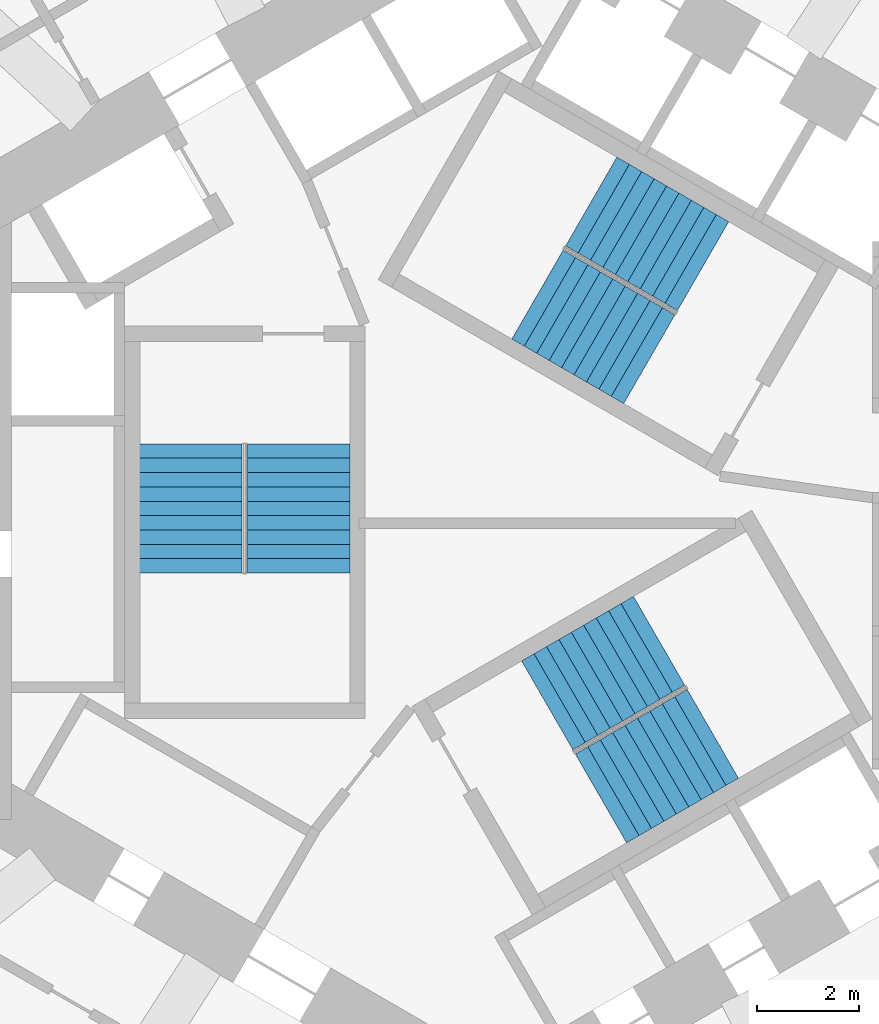
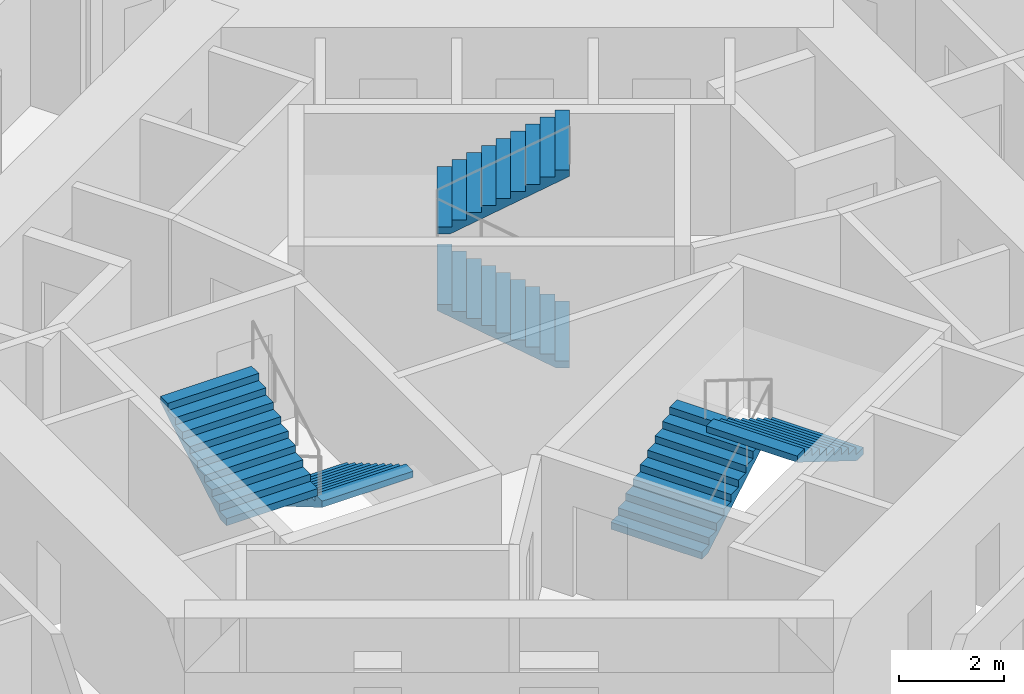
# One storey, part 9 of 11: 6 stair flights, 3 elements without a shape of their own.
"""IFC4 building model written with IfcOpenShell, lengths in metres."""

from ifc_helpers import new_model, si_unit, direction, frame, origin, place, context, subcontext, project, spatial, triangles, source, transform, mapped, material, type_object, element, aggregate, save


model = new_model("IFC4")

# Units and contexts
model_context = context("Model", 3, precision=1e-05, world=origin(), true_north=direction((0.0, 1.0)))
body_context = subcontext(model_context, "Body", "Model", "MODEL_VIEW")
ifc_project = project(units=[si_unit("LENGTHUNIT", "METRE"), si_unit("AREAUNIT", "SQUARE_METRE"), si_unit("VOLUMEUNIT", "CUBIC_METRE"), si_unit("PLANEANGLEUNIT", "RADIAN"), si_unit("MASSUNIT", "GRAM", prefix="KILO")], contexts=[model_context])

# Site, building, storey
site_placement = place(None, origin())
site = spatial("IfcSite", under=ifc_project, at=site_placement, CompositionType="ELEMENT")
building_placement = place(site_placement, origin())
building = spatial("IfcBuilding", under=site, at=building_placement, Name="Vanh Sen Convention Tower", CompositionType="ELEMENT")
storey_placement = place(building_placement, frame((0.0, 0.0, 96.800048828125)))
storey = spatial("IfcBuildingStorey", under=building, at=storey_placement, Name="L22", CompositionType="ELEMENT", Elevation=96.800048828125)

# Stair, stair flights
ifc_material_1 = material(Name="Concrete C50/60", Category="concrete")
stair_type_1 = type_object("IfcStairType", Name="Exit stair ST1 20 risers at 165.0", PredefinedType="HALF_TURN_STAIR", material=ifc_material_1)
stair_1_placement = place(storey_placement, origin())
stair_1 = element("IfcStair", 1, at=stair_1_placement, inside=storey, type_object=stair_type_1, Name="Exit stair ST1 L22", PredefinedType="HALF_TURN_STAIR")
ifc_material_2 = material(Name="Concrete C40/50", Category="concrete")
stair_flight_type = type_object("IfcStairFlightType", Name="Stair flight 2000", PredefinedType="STRAIGHT", material=ifc_material_2)
shared_shape = source(origin(), body_context, "Body", "Tessellation", [
    triangles([(0.24609375, 1.0, 0.0), (0.0, 1.0, 0.0), (0.0, 1.0, 0.1650390625), (0.280029296875, 1.0, 0.1650390625), (0.280029296875, 1.0, 0.330078125), (0.56005859375, 1.0, 0.330078125), (0.56005859375, 1.0, 0.4951171875), (0.840087890625, 1.0, 0.4951171875), (0.840087890625, 1.0, 0.659912109375), (1.1201171875, 1.0, 0.659912109375), (1.1201171875, 1.0, 0.824951171875), (1.39990234375, 1.0, 0.824951171875), (1.39990234375, 1.0, 0.989990234375), (1.679931640625, 1.0, 0.989990234375), (1.679931640625, 1.0, 1.155029296875), (1.9599609375, 1.0, 1.155029296875), (1.9599609375, 1.0, 1.320068359375), (2.239990234375, 1.0, 1.320068359375), (2.239990234375, 1.0, 1.485107421875), (2.52001953125, 1.0, 1.485107421875), (2.52001953125, 1.0, 1.33984375), (0.24609375, -1.0, 0.0), (0.0, -1.0, 0.0), (0.0, -1.0, 0.1650390625), (0.280029296875, -1.0, 0.1650390625), (0.280029296875, -1.0, 0.330078125), (0.56005859375, -1.0, 0.330078125), (0.56005859375, -1.0, 0.4951171875), (0.840087890625, -1.0, 0.4951171875), (0.840087890625, -1.0, 0.659912109375), (1.1201171875, -1.0, 0.659912109375), (1.1201171875, -1.0, 0.824951171875), (1.39990234375, -1.0, 0.824951171875), (1.39990234375, -1.0, 0.989990234375), (1.679931640625, -1.0, 0.989990234375), (1.679931640625, -1.0, 1.155029296875), (1.9599609375, -1.0, 1.155029296875), (1.9599609375, -1.0, 1.320068359375), (2.239990234375, -1.0, 1.320068359375), (2.239990234375, -1.0, 1.485107421875), (2.52001953125, -1.0, 1.485107421875), (2.52001953125, -1.0, 1.33984375), (0.0, 0.0400390625, 0.0), (0.0, 0.0390625, 0.0), (0.0, 0.0380859375, 0.0), (0.0, 0.037109375, 0.0), (0.0, 0.035888671875, 0.0), (0.0, 0.034912109375, 0.0), (0.0, 0.033935546875, 0.0), (0.0, 0.032958984375, 0.0), (0.0, 0.031982421875, 0.0), (0.0, 0.031005859375, 0.0), (0.0, 0.030029296875, 0.0), (0.0, 0.029052734375, 0.0), (0.0, 0.028076171875, 0.0), (0.0, 0.027099609375, 0.0), (0.0, 0.02587890625, 0.0), (0.0, 0.02490234375, 0.0), (0.0, 0.02392578125, 0.0), (0.0, 0.02294921875, 0.0), (0.0, 0.02197265625, 0.0), (0.0, 0.02099609375, 0.0), (0.0, 0.02001953125, 0.0), (0.0, 0.01904296875, 0.0), (0.0, 0.01806640625, 0.0), (0.0, 0.01708984375, 0.0), (0.0, 0.01611328125, 0.0), (0.0, 0.014892578125, 0.0), (0.0, 0.013916015625, 0.0), (0.0, 0.012939453125, 0.0), (0.0, 0.011962890625, 0.0), (0.0, 0.010986328125, 0.0), (0.0, 0.010009765625, 0.0), (0.0, 0.009033203125, 0.0), (0.0, 0.008056640625, 0.0), (0.0, 0.007080078125, 0.0), (0.0, 0.006103515625, 0.0), (0.0, 0.0048828125, 0.0), (0.0, 0.00390625, 0.0), (0.0, 0.0029296875, 0.0), (0.0, 0.001953125, 0.0), (0.0, 0.0009765625, 0.0), (0.0, 0.0, 0.0), (0.0, -0.0009765625, 0.0), (0.0, -0.001953125, 0.0), (0.0, -0.0029296875, 0.0), (0.0, -0.00390625, 0.0), (0.0, -0.0048828125, 0.0), (0.0, -0.006103515625, 0.0), (0.0, -0.007080078125, 0.0), (0.0, -0.008056640625, 0.0), (0.0, -0.009033203125, 0.0), (0.0, -0.010009765625, 0.0), (0.0, -0.010986328125, 0.0), (0.0, -0.011962890625, 0.0), (0.0, -0.012939453125, 0.0), (0.0, -0.013916015625, 0.0), (0.0, -0.014892578125, 0.0), (0.0, -0.01611328125, 0.0), (0.0, -0.01708984375, 0.0), (0.0, -0.01806640625, 0.0), (0.0, -0.01904296875, 0.0), (0.0, -0.02001953125, 0.0), (0.0, -0.02099609375, 0.0), (0.0, -0.02197265625, 0.0), (0.0, -0.02294921875, 0.0), (0.0, -0.02392578125, 0.0), (0.0, -0.02490234375, 0.0), (0.0, -0.02587890625, 0.0), (0.0, -0.027099609375, 0.0), (0.0, -0.028076171875, 0.0), (0.0, -0.029052734375, 0.0), (0.0, -0.030029296875, 0.0), (0.0, -0.031005859375, 0.0), (0.0, -0.031982421875, 0.0), (0.0, -0.032958984375, 0.0), (0.0, -0.033935546875, 0.0), (0.0, -0.034912109375, 0.0), (0.0, -0.035888671875, 0.0), (0.0, -0.037109375, 0.0), (0.0, -0.0380859375, 0.0), (0.0, -0.0390625, 0.0), (0.0, -0.0400390625, 0.0), (0.0, 0.0400390625, 0.1650390625), (0.0, 0.0390625, 0.1650390625), (0.0, 0.0380859375, 0.1650390625), (0.0, 0.037109375, 0.1650390625), (0.0, 0.035888671875, 0.1650390625), (0.0, 0.034912109375, 0.1650390625), (0.0, 0.033935546875, 0.1650390625), (0.0, 0.032958984375, 0.1650390625), (0.0, 0.031982421875, 0.1650390625), (0.0, 0.031005859375, 0.1650390625), (0.0, 0.030029296875, 0.1650390625), (0.0, 0.029052734375, 0.1650390625), (0.0, 0.028076171875, 0.1650390625), (0.0, 0.027099609375, 0.1650390625), (0.0, 0.02587890625, 0.1650390625), (0.0, 0.02490234375, 0.1650390625), (0.0, 0.02392578125, 0.1650390625), (0.0, 0.02294921875, 0.1650390625), (0.0, 0.02197265625, 0.1650390625), (0.0, 0.02099609375, 0.1650390625), (0.0, 0.02001953125, 0.1650390625), (0.0, 0.01904296875, 0.1650390625), (0.0, 0.01806640625, 0.1650390625), (0.0, 0.01708984375, 0.1650390625), (0.0, 0.01611328125, 0.1650390625), (0.0, 0.014892578125, 0.1650390625), (0.0, 0.013916015625, 0.1650390625), (0.0, 0.012939453125, 0.1650390625), (0.0, 0.011962890625, 0.1650390625), (0.0, 0.010986328125, 0.1650390625), (0.0, 0.010009765625, 0.1650390625), (0.0, 0.009033203125, 0.1650390625), (0.0, 0.008056640625, 0.1650390625), (0.0, 0.007080078125, 0.1650390625), (0.0, 0.006103515625, 0.1650390625), (0.0, 0.0048828125, 0.1650390625), (0.0, 0.00390625, 0.1650390625), (0.0, 0.0029296875, 0.1650390625), (0.0, 0.001953125, 0.1650390625), (0.0, 0.0009765625, 0.1650390625), (0.0, 0.0, 0.1650390625), (0.0, -0.0009765625, 0.1650390625), (0.0, -0.001953125, 0.1650390625), (0.0, -0.0029296875, 0.1650390625), (0.0, -0.00390625, 0.1650390625), (0.0, -0.0048828125, 0.1650390625), (0.0, -0.006103515625, 0.1650390625), (0.0, -0.007080078125, 0.1650390625), (0.0, -0.008056640625, 0.1650390625), (0.0, -0.009033203125, 0.1650390625), (0.0, -0.010009765625, 0.1650390625), (0.0, -0.010986328125, 0.1650390625), (0.0, -0.011962890625, 0.1650390625), (0.0, -0.012939453125, 0.1650390625), (0.0, -0.013916015625, 0.1650390625), (0.0, -0.014892578125, 0.1650390625), (0.0, -0.01611328125, 0.1650390625), (0.0, -0.01708984375, 0.1650390625), (0.0, -0.01806640625, 0.1650390625), (0.0, -0.01904296875, 0.1650390625), (0.0, -0.02001953125, 0.1650390625), (0.0, -0.02099609375, 0.1650390625), (0.0, -0.02197265625, 0.1650390625), (0.0, -0.02294921875, 0.1650390625), (0.0, -0.02392578125, 0.1650390625), (0.0, -0.02490234375, 0.1650390625), (0.0, -0.02587890625, 0.1650390625), (0.0, -0.027099609375, 0.1650390625), (0.0, -0.028076171875, 0.1650390625), (0.0, -0.029052734375, 0.1650390625), (0.0, -0.030029296875, 0.1650390625), (0.0, -0.031005859375, 0.1650390625), (0.0, -0.031982421875, 0.1650390625), (0.0, -0.032958984375, 0.1650390625), (0.0, -0.033935546875, 0.1650390625), (0.0, -0.034912109375, 0.1650390625), (0.0, -0.035888671875, 0.1650390625), (0.0, -0.037109375, 0.1650390625), (0.0, -0.0380859375, 0.1650390625), (0.0, -0.0390625, 0.1650390625), (0.0, -0.0400390625, 0.1650390625), (0.280029296875, 0.0, 0.1650390625), (0.280029296875, 0.0, 0.330078125), (0.56005859375, 0.0, 0.330078125), (0.56005859375, 0.0, 0.4951171875), (0.840087890625, 0.0, 0.4951171875), (0.840087890625, 0.0, 0.659912109375), (1.1201171875, 0.0, 0.659912109375), (1.1201171875, 0.0, 0.824951171875), (1.39990234375, 0.0, 0.824951171875), (1.39990234375, 0.0, 0.989990234375), (1.679931640625, 0.0, 0.989990234375), (1.679931640625, 0.0, 1.155029296875), (1.9599609375, 0.0, 1.155029296875), (1.9599609375, 0.0, 1.320068359375), (2.239990234375, 0.0, 1.320068359375), (2.239990234375, 0.0, 1.485107421875), (2.52001953125, 0.0400390625, 1.485107421875), (2.52001953125, 0.0390625, 1.485107421875), (2.52001953125, 0.0380859375, 1.485107421875), (2.52001953125, 0.037109375, 1.485107421875), (2.52001953125, 0.035888671875, 1.485107421875), (2.52001953125, 0.034912109375, 1.485107421875), (2.52001953125, 0.033935546875, 1.485107421875), (2.52001953125, 0.032958984375, 1.485107421875), (2.52001953125, 0.031982421875, 1.485107421875), (2.52001953125, 0.031005859375, 1.485107421875), (2.52001953125, 0.030029296875, 1.485107421875), (2.52001953125, 0.029052734375, 1.485107421875), (2.52001953125, 0.028076171875, 1.485107421875), (2.52001953125, 0.027099609375, 1.485107421875), (2.52001953125, 0.02587890625, 1.485107421875), (2.52001953125, 0.02490234375, 1.485107421875), (2.52001953125, 0.02392578125, 1.485107421875), (2.52001953125, 0.02294921875, 1.485107421875), (2.52001953125, 0.02197265625, 1.485107421875), (2.52001953125, 0.02099609375, 1.485107421875), (2.52001953125, 0.02001953125, 1.485107421875), (2.52001953125, 0.01904296875, 1.485107421875), (2.52001953125, 0.01806640625, 1.485107421875), (2.52001953125, 0.01708984375, 1.485107421875), (2.52001953125, 0.01611328125, 1.485107421875), (2.52001953125, 0.014892578125, 1.485107421875), (2.52001953125, 0.013916015625, 1.485107421875), (2.52001953125, 0.012939453125, 1.485107421875), (2.52001953125, 0.011962890625, 1.485107421875), (2.52001953125, 0.010986328125, 1.485107421875), (2.52001953125, 0.010009765625, 1.485107421875), (2.52001953125, 0.009033203125, 1.485107421875), (2.52001953125, 0.008056640625, 1.485107421875), (2.52001953125, 0.007080078125, 1.485107421875), (2.52001953125, 0.006103515625, 1.485107421875), (2.52001953125, 0.0048828125, 1.485107421875), (2.52001953125, 0.00390625, 1.485107421875), (2.52001953125, 0.0029296875, 1.485107421875), (2.52001953125, 0.001953125, 1.485107421875), (2.52001953125, 0.0009765625, 1.485107421875), (2.52001953125, 0.0, 1.485107421875), (2.52001953125, -0.0009765625, 1.485107421875), (2.52001953125, -0.001953125, 1.485107421875), (2.52001953125, -0.0029296875, 1.485107421875), (2.52001953125, -0.00390625, 1.485107421875), (2.52001953125, -0.0048828125, 1.485107421875), (2.52001953125, -0.006103515625, 1.485107421875), (2.52001953125, -0.007080078125, 1.485107421875), (2.52001953125, -0.008056640625, 1.485107421875), (2.52001953125, -0.009033203125, 1.485107421875), (2.52001953125, -0.010009765625, 1.485107421875), (2.52001953125, -0.010986328125, 1.485107421875), (2.52001953125, -0.011962890625, 1.485107421875), (2.52001953125, -0.012939453125, 1.485107421875), (2.52001953125, -0.013916015625, 1.485107421875), (2.52001953125, -0.014892578125, 1.485107421875), (2.52001953125, -0.01611328125, 1.485107421875), (2.52001953125, -0.01708984375, 1.485107421875), (2.52001953125, -0.01806640625, 1.485107421875), (2.52001953125, -0.01904296875, 1.485107421875), (2.52001953125, -0.02001953125, 1.485107421875), (2.52001953125, -0.02099609375, 1.485107421875), (2.52001953125, -0.02197265625, 1.485107421875), (2.52001953125, -0.02294921875, 1.485107421875), (2.52001953125, -0.02392578125, 1.485107421875), (2.52001953125, -0.02490234375, 1.485107421875), (2.52001953125, -0.02587890625, 1.485107421875), (2.52001953125, -0.027099609375, 1.485107421875), (2.52001953125, -0.028076171875, 1.485107421875), (2.52001953125, -0.029052734375, 1.485107421875), (2.52001953125, -0.030029296875, 1.485107421875), (2.52001953125, -0.031005859375, 1.485107421875), (2.52001953125, -0.031982421875, 1.485107421875), (2.52001953125, -0.032958984375, 1.485107421875), (2.52001953125, -0.033935546875, 1.485107421875), (2.52001953125, -0.034912109375, 1.485107421875), (2.52001953125, -0.035888671875, 1.485107421875), (2.52001953125, -0.037109375, 1.485107421875), (2.52001953125, -0.0380859375, 1.485107421875), (2.52001953125, -0.0390625, 1.485107421875), (2.52001953125, -0.0400390625, 1.485107421875), (2.52001953125, 0.0400390625, 1.33984375), (2.52001953125, 0.0390625, 1.33984375), (2.52001953125, 0.0380859375, 1.33984375), (2.52001953125, 0.037109375, 1.33984375), (2.52001953125, 0.035888671875, 1.33984375), (2.52001953125, 0.034912109375, 1.33984375), (2.52001953125, 0.033935546875, 1.33984375), (2.52001953125, 0.032958984375, 1.33984375), (2.52001953125, 0.031982421875, 1.33984375), (2.52001953125, 0.031005859375, 1.33984375), (2.52001953125, 0.030029296875, 1.33984375), (2.52001953125, 0.029052734375, 1.33984375), (2.52001953125, 0.028076171875, 1.33984375), (2.52001953125, 0.027099609375, 1.33984375), (2.52001953125, 0.02587890625, 1.33984375), (2.52001953125, 0.02490234375, 1.33984375), (2.52001953125, 0.02392578125, 1.33984375), (2.52001953125, 0.02294921875, 1.33984375), (2.52001953125, 0.02197265625, 1.33984375), (2.52001953125, 0.02099609375, 1.33984375), (2.52001953125, 0.02001953125, 1.33984375), (2.52001953125, 0.01904296875, 1.33984375), (2.52001953125, 0.01806640625, 1.33984375), (2.52001953125, 0.01708984375, 1.33984375), (2.52001953125, 0.01611328125, 1.33984375), (2.52001953125, 0.014892578125, 1.33984375), (2.52001953125, 0.013916015625, 1.33984375), (2.52001953125, 0.012939453125, 1.33984375), (2.52001953125, 0.011962890625, 1.33984375), (2.52001953125, 0.010986328125, 1.33984375), (2.52001953125, 0.010009765625, 1.33984375), (2.52001953125, 0.009033203125, 1.33984375), (2.52001953125, 0.008056640625, 1.33984375), (2.52001953125, 0.007080078125, 1.33984375), (2.52001953125, 0.006103515625, 1.33984375), (2.52001953125, 0.0048828125, 1.33984375), (2.52001953125, 0.00390625, 1.33984375), (2.52001953125, 0.0029296875, 1.33984375), (2.52001953125, 0.001953125, 1.33984375), (2.52001953125, 0.0009765625, 1.33984375), (2.52001953125, 0.0, 1.33984375), (2.52001953125, -0.0009765625, 1.33984375), (2.52001953125, -0.001953125, 1.33984375), (2.52001953125, -0.0029296875, 1.33984375), (2.52001953125, -0.00390625, 1.33984375), (2.52001953125, -0.0048828125, 1.33984375), (2.52001953125, -0.006103515625, 1.33984375), (2.52001953125, -0.007080078125, 1.33984375), (2.52001953125, -0.008056640625, 1.33984375), (2.52001953125, -0.009033203125, 1.33984375), (2.52001953125, -0.010009765625, 1.33984375), (2.52001953125, -0.010986328125, 1.33984375), (2.52001953125, -0.011962890625, 1.33984375), (2.52001953125, -0.012939453125, 1.33984375), (2.52001953125, -0.013916015625, 1.33984375), (2.52001953125, -0.014892578125, 1.33984375), (2.52001953125, -0.01611328125, 1.33984375), (2.52001953125, -0.01708984375, 1.33984375), (2.52001953125, -0.01806640625, 1.33984375), (2.52001953125, -0.01904296875, 1.33984375), (2.52001953125, -0.02001953125, 1.33984375), (2.52001953125, -0.02099609375, 1.33984375), (2.52001953125, -0.02197265625, 1.33984375), (2.52001953125, -0.02294921875, 1.33984375), (2.52001953125, -0.02392578125, 1.33984375), (2.52001953125, -0.02490234375, 1.33984375), (2.52001953125, -0.02587890625, 1.33984375), (2.52001953125, -0.027099609375, 1.33984375), (2.52001953125, -0.028076171875, 1.33984375), (2.52001953125, -0.029052734375, 1.33984375), (2.52001953125, -0.030029296875, 1.33984375), (2.52001953125, -0.031005859375, 1.33984375), (2.52001953125, -0.031982421875, 1.33984375), (2.52001953125, -0.032958984375, 1.33984375), (2.52001953125, -0.033935546875, 1.33984375), (2.52001953125, -0.034912109375, 1.33984375), (2.52001953125, -0.035888671875, 1.33984375), (2.52001953125, -0.037109375, 1.33984375), (2.52001953125, -0.0380859375, 1.33984375), (2.52001953125, -0.0390625, 1.33984375), (2.52001953125, -0.0400390625, 1.33984375), (0.24609375, 0.0, 0.0)], [[1, 2, 3], [1, 3, 4], [4, 5, 6], [1, 4, 6], [6, 7, 8], [1, 6, 8], [8, 9, 10], [1, 8, 10], [10, 11, 12], [1, 10, 12], [12, 13, 14], [1, 12, 14], [14, 15, 16], [1, 14, 16], [16, 17, 18], [1, 16, 18], [18, 19, 20], [1, 18, 20], [20, 21, 1], [22, 24, 23], [22, 25, 24], [25, 27, 26], [22, 27, 25], [27, 29, 28], [22, 29, 27], [29, 31, 30], [22, 31, 29], [31, 33, 32], [22, 33, 31], [33, 35, 34], [22, 35, 33], [35, 37, 36], [22, 37, 35], [37, 39, 38], [22, 39, 37], [39, 41, 40], [22, 41, 39], [41, 22, 42], [2, 124, 3], [2, 43, 124], [43, 125, 124], [43, 44, 125], [44, 126, 125], [44, 45, 126], [45, 127, 126], [45, 46, 127], [46, 128, 127], [46, 47, 128], [47, 129, 128], [47, 48, 129], [48, 130, 129], [48, 49, 130], [49, 131, 130], [49, 50, 131], [50, 132, 131], [50, 51, 132], [51, 133, 132], [51, 52, 133], [52, 134, 133], [52, 53, 134], [53, 135, 134], [53, 54, 135], [54, 136, 135], [54, 55, 136], [55, 137, 136], [55, 56, 137], [56, 138, 137], [56, 57, 138], [57, 139, 138], [57, 58, 139], [58, 140, 139], [58, 59, 140], [59, 141, 140], [59, 60, 141], [60, 142, 141], [60, 61, 142], [61, 143, 142], [61, 62, 143], [62, 144, 143], [62, 63, 144], [63, 145, 144], [63, 64, 145], [64, 146, 145], [64, 65, 146], [65, 147, 146], [65, 66, 147], [66, 148, 147], [66, 67, 148], [67, 149, 148], [67, 68, 149], [68, 150, 149], [68, 69, 150], [69, 151, 150], [69, 70, 151], [70, 152, 151], [70, 71, 152], [71, 153, 152], [71, 72, 153], [72, 154, 153], [72, 73, 154], [73, 155, 154], [73, 74, 155], [74, 156, 155], [74, 75, 156], [75, 157, 156], [75, 76, 157], [76, 158, 157], [76, 77, 158], [77, 159, 158], [77, 78, 159], [78, 160, 159], [78, 79, 160], [79, 161, 160], [79, 80, 161], [80, 162, 161], [80, 81, 162], [81, 163, 162], [81, 82, 163], [82, 164, 163], [82, 83, 164], [83, 84, 164], [164, 84, 165], [84, 85, 165], [165, 85, 166], [85, 86, 166], [166, 86, 167], [86, 87, 167], [167, 87, 168], [87, 88, 168], [168, 88, 169], [88, 89, 169], [169, 89, 170], [89, 90, 170], [170, 90, 171], [90, 91, 171], [171, 91, 172], [91, 92, 172], [172, 92, 173], [92, 93, 173], [173, 93, 174], [93, 94, 174], [174, 94, 175], [94, 95, 175], [175, 95, 176], [95, 96, 176], [176, 96, 177], [96, 97, 177], [177, 97, 178], [97, 98, 178], [178, 98, 179], [98, 99, 179], [179, 99, 180], [99, 100, 180], [180, 100, 181], [100, 101, 181], [181, 101, 182], [101, 102, 182], [182, 102, 183], [102, 103, 183], [183, 103, 184], [103, 104, 184], [184, 104, 185], [104, 105, 185], [185, 105, 186], [105, 106, 186], [186, 106, 187], [106, 107, 187], [187, 107, 188], [107, 108, 188], [188, 108, 189], [108, 109, 189], [189, 109, 190], [109, 110, 190], [190, 110, 191], [110, 111, 191], [191, 111, 192], [111, 112, 192], [192, 112, 193], [112, 113, 193], [193, 113, 194], [113, 114, 194], [194, 114, 195], [114, 115, 195], [195, 115, 196], [115, 116, 196], [196, 116, 197], [116, 117, 197], [197, 117, 198], [117, 118, 198], [198, 118, 199], [118, 119, 199], [199, 119, 200], [119, 120, 200], [200, 120, 201], [120, 121, 201], [201, 121, 202], [121, 122, 202], [202, 122, 203], [122, 123, 203], [203, 123, 204], [123, 23, 204], [204, 23, 24], [4, 3, 124], [4, 124, 125], [4, 125, 126], [4, 126, 127], [4, 127, 128], [4, 128, 129], [4, 129, 130], [4, 130, 131], [4, 131, 132], [4, 132, 133], [4, 133, 134], [4, 134, 135], [4, 135, 136], [4, 136, 137], [4, 137, 138], [4, 138, 139], [4, 139, 140], [4, 140, 141], [4, 141, 142], [4, 142, 143], [4, 143, 144], [4, 144, 145], [4, 145, 146], [4, 146, 147], [4, 147, 148], [4, 148, 149], [4, 149, 150], [4, 150, 151], [4, 151, 152], [4, 152, 153], [4, 153, 154], [4, 154, 155], [4, 155, 156], [4, 156, 157], [4, 157, 158], [4, 158, 159], [4, 159, 160], [4, 160, 161], [4, 161, 162], [4, 162, 163], [4, 163, 164], [25, 164, 165], [25, 165, 166], [25, 166, 167], [25, 167, 168], [25, 168, 169], [25, 169, 170], [25, 170, 171], [25, 171, 172], [25, 172, 173], [25, 173, 174], [25, 174, 175], [25, 175, 176], [25, 176, 177], [25, 177, 178], [25, 178, 179], [25, 179, 180], [25, 180, 181], [25, 181, 182], [25, 182, 183], [25, 183, 184], [25, 184, 185], [25, 185, 186], [25, 186, 187], [25, 187, 188], [25, 188, 189], [25, 189, 190], [25, 190, 191], [25, 191, 192], [25, 192, 193], [25, 193, 194], [25, 194, 195], [25, 195, 196], [25, 196, 197], [25, 197, 198], [25, 198, 199], [25, 199, 200], [25, 200, 201], [25, 201, 202], [25, 202, 203], [25, 203, 204], [25, 204, 24], [4, 164, 205], [25, 205, 164], [4, 206, 5], [4, 205, 206], [205, 25, 206], [206, 25, 26], [5, 207, 6], [5, 206, 207], [206, 26, 207], [207, 26, 27], [6, 208, 7], [6, 207, 208], [207, 27, 208], [208, 27, 28], [7, 209, 8], [7, 208, 209], [208, 28, 209], [209, 28, 29], [8, 210, 9], [8, 209, 210], [209, 29, 210], [210, 29, 30], [9, 211, 10], [9, 210, 211], [210, 30, 211], [211, 30, 31], [10, 212, 11], [10, 211, 212], [211, 31, 212], [212, 31, 32], [11, 213, 12], [11, 212, 213], [212, 32, 213], [213, 32, 33], [12, 214, 13], [12, 213, 214], [213, 33, 214], [214, 33, 34], [13, 215, 14], [13, 214, 215], [214, 34, 215], [215, 34, 35], [14, 216, 15], [14, 215, 216], [215, 35, 216], [216, 35, 36], [15, 217, 16], [15, 216, 217], [216, 36, 217], [217, 36, 37], [16, 218, 17], [16, 217, 218], [217, 37, 218], [218, 37, 38], [17, 219, 18], [17, 218, 219], [218, 38, 219], [219, 38, 39], [18, 220, 19], [18, 219, 220], [219, 39, 220], [220, 39, 40], [19, 221, 20], [19, 222, 221], [19, 223, 222], [19, 224, 223], [19, 225, 224], [19, 226, 225], [19, 227, 226], [19, 228, 227], [19, 229, 228], [19, 230, 229], [19, 231, 230], [19, 232, 231], [19, 233, 232], [19, 234, 233], [19, 235, 234], [19, 236, 235], [19, 237, 236], [19, 238, 237], [19, 239, 238], [19, 240, 239], [19, 241, 240], [19, 242, 241], [19, 243, 242], [19, 244, 243], [19, 245, 244], [19, 246, 245], [19, 247, 246], [19, 248, 247], [19, 249, 248], [19, 250, 249], [19, 251, 250], [19, 252, 251], [19, 253, 252], [19, 254, 253], [19, 255, 254], [19, 256, 255], [19, 257, 256], [19, 258, 257], [19, 259, 258], [19, 260, 259], [19, 261, 260], [40, 262, 261], [40, 263, 262], [40, 264, 263], [40, 265, 264], [40, 266, 265], [40, 267, 266], [40, 268, 267], [40, 269, 268], [40, 270, 269], [40, 271, 270], [40, 272, 271], [40, 273, 272], [40, 274, 273], [40, 275, 274], [40, 276, 275], [40, 277, 276], [40, 278, 277], [40, 279, 278], [40, 280, 279], [40, 281, 280], [40, 282, 281], [40, 283, 282], [40, 284, 283], [40, 285, 284], [40, 286, 285], [40, 287, 286], [40, 288, 287], [40, 289, 288], [40, 290, 289], [40, 291, 290], [40, 292, 291], [40, 293, 292], [40, 294, 293], [40, 295, 294], [40, 296, 295], [40, 297, 296], [40, 298, 297], [40, 299, 298], [40, 300, 299], [40, 301, 300], [40, 41, 301], [19, 220, 261], [40, 261, 220], [20, 302, 21], [20, 221, 302], [221, 303, 302], [221, 222, 303], [222, 304, 303], [222, 223, 304], [223, 305, 304], [223, 224, 305], [224, 306, 305], [224, 225, 306], [225, 307, 306], [225, 226, 307], [226, 308, 307], [226, 227, 308], [227, 309, 308], [227, 228, 309], [228, 310, 309], [228, 229, 310], [229, 311, 310], [229, 230, 311], [230, 312, 311], [230, 231, 312], [231, 313, 312], [231, 232, 313], [232, 314, 313], [232, 233, 314], [233, 315, 314], [233, 234, 315], [234, 316, 315], [234, 235, 316], [235, 317, 316], [235, 236, 317], [236, 318, 317], [236, 237, 318], [237, 319, 318], [237, 238, 319], [238, 320, 319], [238, 239, 320], [239, 321, 320], [239, 240, 321], [240, 322, 321], [240, 241, 322], [241, 323, 322], [241, 242, 323], [242, 324, 323], [242, 243, 324], [243, 325, 324], [243, 244, 325], [244, 326, 325], [244, 245, 326], [245, 327, 326], [245, 246, 327], [246, 328, 327], [246, 247, 328], [247, 329, 328], [247, 248, 329], [248, 330, 329], [248, 249, 330], [249, 331, 330], [249, 250, 331], [250, 332, 331], [250, 251, 332], [251, 333, 332], [251, 252, 333], [252, 334, 333], [252, 253, 334], [253, 335, 334], [253, 254, 335], [254, 336, 335], [254, 255, 336], [255, 337, 336], [255, 256, 337], [256, 338, 337], [256, 257, 338], [257, 339, 338], [257, 258, 339], [258, 340, 339], [258, 259, 340], [259, 341, 340], [259, 260, 341], [260, 342, 341], [260, 261, 342], [261, 262, 342], [342, 262, 343], [262, 263, 343], [343, 263, 344], [263, 264, 344], [344, 264, 345], [264, 265, 345], [345, 265, 346], [265, 266, 346], [346, 266, 347], [266, 267, 347], [347, 267, 348], [267, 268, 348], [348, 268, 349], [268, 269, 349], [349, 269, 350], [269, 270, 350], [350, 270, 351], [270, 271, 351], [351, 271, 352], [271, 272, 352], [352, 272, 353], [272, 273, 353], [353, 273, 354], [273, 274, 354], [354, 274, 355], [274, 275, 355], [355, 275, 356], [275, 276, 356], [356, 276, 357], [276, 277, 357], [357, 277, 358], [277, 278, 358], [358, 278, 359], [278, 279, 359], [359, 279, 360], [279, 280, 360], [360, 280, 361], [280, 281, 361], [361, 281, 362], [281, 282, 362], [362, 282, 363], [282, 283, 363], [363, 283, 364], [283, 284, 364], [364, 284, 365], [284, 285, 365], [365, 285, 366], [285, 286, 366], [366, 286, 367], [286, 287, 367], [367, 287, 368], [287, 288, 368], [368, 288, 369], [288, 289, 369], [369, 289, 370], [289, 290, 370], [370, 290, 371], [290, 291, 371], [371, 291, 372], [291, 292, 372], [372, 292, 373], [292, 293, 373], [373, 293, 374], [293, 294, 374], [374, 294, 375], [294, 295, 375], [375, 295, 376], [295, 296, 376], [376, 296, 377], [296, 297, 377], [377, 297, 378], [297, 298, 378], [378, 298, 379], [298, 299, 379], [379, 299, 380], [299, 300, 380], [380, 300, 381], [300, 301, 381], [381, 301, 382], [301, 41, 382], [382, 41, 42], [1, 21, 302], [1, 302, 303], [1, 303, 304], [1, 304, 305], [1, 305, 306], [1, 306, 307], [1, 307, 308], [1, 308, 309], [1, 309, 310], [1, 310, 311], [1, 311, 312], [1, 312, 313], [1, 313, 314], [1, 314, 315], [1, 315, 316], [1, 316, 317], [1, 317, 318], [1, 318, 319], [1, 319, 320], [1, 320, 321], [1, 321, 322], [1, 322, 323], [1, 323, 324], [1, 324, 325], [1, 325, 326], [1, 326, 327], [1, 327, 328], [1, 328, 329], [1, 329, 330], [1, 330, 331], [1, 331, 332], [1, 332, 333], [1, 333, 334], [1, 334, 335], [1, 335, 336], [1, 336, 337], [1, 337, 338], [1, 338, 339], [1, 339, 340], [1, 340, 341], [1, 341, 342], [22, 342, 343], [22, 343, 344], [22, 344, 345], [22, 345, 346], [22, 346, 347], [22, 347, 348], [22, 348, 349], [22, 349, 350], [22, 350, 351], [22, 351, 352], [22, 352, 353], [22, 353, 354], [22, 354, 355], [22, 355, 356], [22, 356, 357], [22, 357, 358], [22, 358, 359], [22, 359, 360], [22, 360, 361], [22, 361, 362], [22, 362, 363], [22, 363, 364], [22, 364, 365], [22, 365, 366], [22, 366, 367], [22, 367, 368], [22, 368, 369], [22, 369, 370], [22, 370, 371], [22, 371, 372], [22, 372, 373], [22, 373, 374], [22, 374, 375], [22, 375, 376], [22, 376, 377], [22, 377, 378], [22, 378, 379], [22, 379, 380], [22, 380, 381], [22, 381, 382], [22, 382, 42], [1, 342, 383], [22, 383, 342], [1, 43, 2], [1, 44, 43], [1, 45, 44], [1, 46, 45], [1, 47, 46], [1, 48, 47], [1, 49, 48], [1, 50, 49], [1, 51, 50], [1, 52, 51], [1, 53, 52], [1, 54, 53], [1, 55, 54], [1, 56, 55], [1, 57, 56], [1, 58, 57], [1, 59, 58], [1, 60, 59], [1, 61, 60], [1, 62, 61], [1, 63, 62], [1, 64, 63], [1, 65, 64], [1, 66, 65], [1, 67, 66], [1, 68, 67], [1, 69, 68], [1, 70, 69], [1, 71, 70], [1, 72, 71], [1, 73, 72], [1, 74, 73], [1, 75, 74], [1, 76, 75], [1, 77, 76], [1, 78, 77], [1, 79, 78], [1, 80, 79], [1, 81, 80], [1, 82, 81], [1, 83, 82], [22, 84, 83], [22, 85, 84], [22, 86, 85], [22, 87, 86], [22, 88, 87], [22, 89, 88], [22, 90, 89], [22, 91, 90], [22, 92, 91], [22, 93, 92], [22, 94, 93], [22, 95, 94], [22, 96, 95], [22, 97, 96], [22, 98, 97], [22, 99, 98], [22, 100, 99], [22, 101, 100], [22, 102, 101], [22, 103, 102], [22, 104, 103], [22, 105, 104], [22, 106, 105], [22, 107, 106], [22, 108, 107], [22, 109, 108], [22, 110, 109], [22, 111, 110], [22, 112, 111], [22, 113, 112], [22, 114, 113], [22, 115, 114], [22, 116, 115], [22, 117, 116], [22, 118, 117], [22, 119, 118], [22, 120, 119], [22, 121, 120], [22, 122, 121], [22, 123, 122], [22, 23, 123], [1, 383, 83], [22, 83, 383]], closed=True),
])
stair_flight_1_placement = place(storey_placement, frame((2.94580078125, 2.802490234375, 0.0), z_axis=(0.0, 0.0, 1.0), x_axis=(-0.866025403784, 0.5, 0.0)))
stair_flight_1 = element("IfcStairFlight", 2, at=stair_flight_1_placement, type_object=stair_flight_type, Name="ST1 flight 1", NumberOfRisers=10, NumberOfTreads=9, PredefinedType="STRAIGHT", RiserHeight=0.165, TreadLength=0.28, context=body_context, shape_type="MappedRepresentation", body=[
    mapped(shared_shape, transform((0.0, 0.0, 0.0))),
])
stair_flight_2_placement = place(storey_placement, frame((1.8134765625, 5.881103515625, 1.64990234375), z_axis=(0.0, 0.0, 1.0), x_axis=(0.866025403784, -0.5, 0.0)))
stair_flight_2 = element("IfcStairFlight", 3, at=stair_flight_2_placement, type_object=stair_flight_type, Name="ST1 flight 2", NumberOfRisers=10, NumberOfTreads=9, PredefinedType="STRAIGHT", RiserHeight=0.165, TreadLength=0.28, context=body_context, shape_type="MappedRepresentation", body=[
    mapped(shared_shape, transform((0.0, 0.0, 0.0))),
])
aggregate(stair_1, [stair_flight_1, stair_flight_2])

stair_type_2 = type_object("IfcStairType", Name="Exit stair ST2 20 risers at 165.0", PredefinedType="HALF_TURN_STAIR", material=ifc_material_1)
stair_2_placement = place(storey_placement, origin())
stair_2 = element("IfcStair", 4, at=stair_2_placement, inside=storey, type_object=stair_type_2, Name="Exit stair ST2 L22", PredefinedType="HALF_TURN_STAIR")
stair_flight_3_placement = place(storey_placement, frame((-3.89990234375, 1.14990234375, 0.0), z_axis=(0.0, 0.0, 1.0), x_axis=(0.0, -1.0, 0.0)))
stair_flight_3 = element("IfcStairFlight", 5, at=stair_flight_3_placement, type_object=stair_flight_type, Name="ST2 flight 1", NumberOfRisers=10, NumberOfTreads=9, PredefinedType="STRAIGHT", RiserHeight=0.165, TreadLength=0.28, context=body_context, shape_type="MappedRepresentation", body=[
    mapped(shared_shape, transform((0.0, 0.0, 0.0))),
])
stair_flight_4_placement = place(storey_placement, frame((-6.0, -1.3701171875, 1.64990234375), z_axis=(0.0, 0.0, 1.0), x_axis=(0.0, 1.0, 0.0)))
stair_flight_4 = element("IfcStairFlight", 6, at=stair_flight_4_placement, type_object=stair_flight_type, Name="ST2 flight 2", NumberOfRisers=10, NumberOfTreads=9, PredefinedType="STRAIGHT", RiserHeight=0.165, TreadLength=0.28, context=body_context, shape_type="MappedRepresentation", body=[
    mapped(shared_shape, transform((0.0, 0.0, 0.0))),
])
aggregate(stair_2, [stair_flight_3, stair_flight_4])

stair_type_3 = type_object("IfcStairType", Name="Exit stair ST3 20 risers at 165.0", PredefinedType="HALF_TURN_STAIR", material=ifc_material_1)
stair_3_placement = place(storey_placement, origin())
stair_3 = element("IfcStair", 7, at=stair_3_placement, inside=storey, type_object=stair_type_3, Name="Exit stair ST3 L22", PredefinedType="HALF_TURN_STAIR")
stair_flight_5_placement = place(storey_placement, frame((0.9541015625, -3.952392578125, 0.0), z_axis=(0.0, 0.0, 1.0), x_axis=(0.866025403784, 0.5, 0.0)))
stair_flight_5 = element("IfcStairFlight", 8, at=stair_flight_5_placement, type_object=stair_flight_type, Name="ST3 flight 1", NumberOfRisers=10, NumberOfTreads=9, PredefinedType="STRAIGHT", RiserHeight=0.165, TreadLength=0.28, context=body_context, shape_type="MappedRepresentation", body=[
    mapped(shared_shape, transform((0.0, 0.0, 0.0))),
])
stair_flight_6_placement = place(storey_placement, frame((4.1865234375, -4.51123046875, 1.64990234375), z_axis=(0.0, 0.0, 1.0), x_axis=(-0.866025403784, -0.5, 0.0)))
stair_flight_6 = element("IfcStairFlight", 9, at=stair_flight_6_placement, type_object=stair_flight_type, Name="ST3 flight 2", NumberOfRisers=10, NumberOfTreads=9, PredefinedType="STRAIGHT", RiserHeight=0.165, TreadLength=0.28, context=body_context, shape_type="MappedRepresentation", body=[
    mapped(shared_shape, transform((0.0, 0.0, 0.0))),
])
aggregate(stair_3, [stair_flight_5, stair_flight_6])

save(model, "model.ifc")
